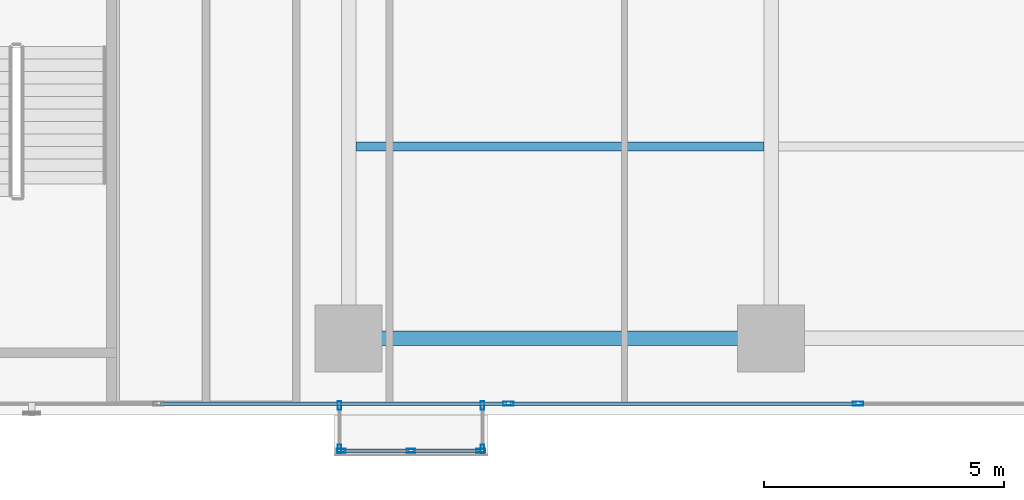
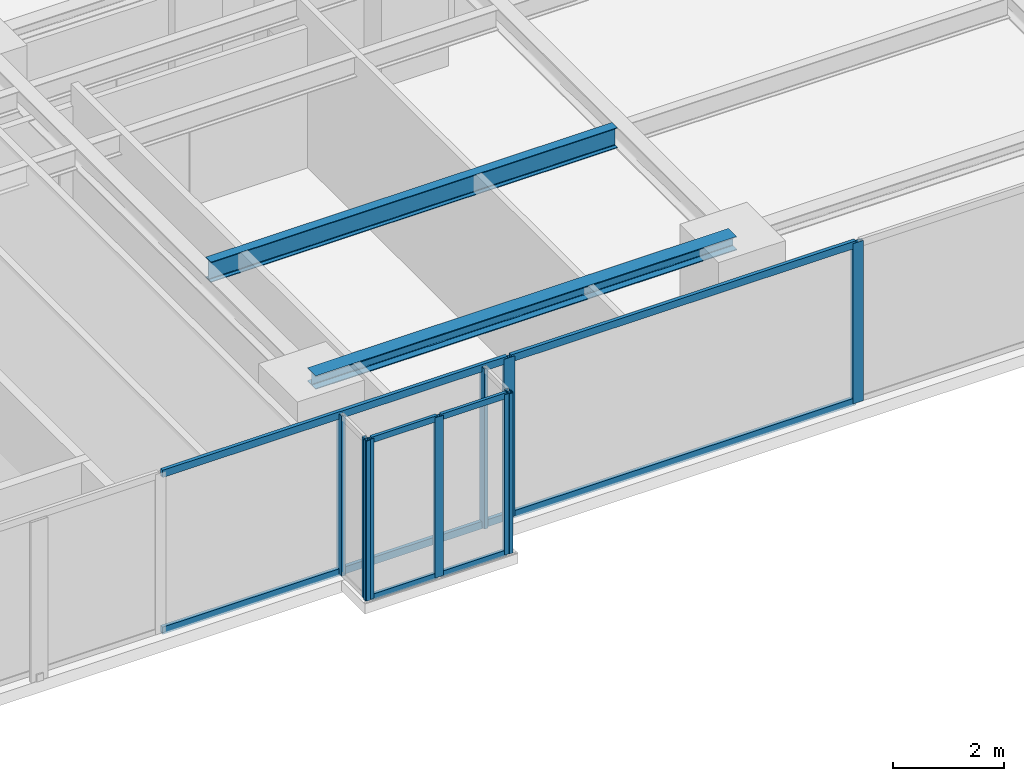
# One storey, part 11 of 27: 17 members, 2 beams, 4 elements without a shape of their own.
"""IFC4 building model written with IfcOpenShell, lengths in metres."""

from ifc_helpers import new_model, si_unit, direction, frame, origin, origin_with_axes, origin_2d, place, context, subcontext, project, spatial, hollow_rectangle, i_section, extrude, source, transform, mapped, material, layer, layer_set, material_profile, profile_set, type_object, element, aggregate, save


model = new_model("IFC4")

# Units and contexts
model_context = context("Model", 3, precision=1e-05, world=origin(), true_north=direction((0.0, 1.0)))
body_context = subcontext(model_context, "Body", "Model", "MODEL_VIEW")
ifc_project = project(units=[si_unit("LENGTHUNIT", "METRE"), si_unit("AREAUNIT", "SQUARE_METRE"), si_unit("VOLUMEUNIT", "CUBIC_METRE"), si_unit("PLANEANGLEUNIT", "RADIAN"), si_unit("MASSUNIT", "GRAM", prefix="KILO")], contexts=[model_context])

# Site, building, storey
site_placement = place(None, origin())
site = spatial("IfcSite", under=ifc_project, at=site_placement, CompositionType="ELEMENT")
building_placement = place(site_placement, origin())
building = spatial("IfcBuilding", under=site, at=building_placement, Name="Kolvaren Waterfront Exchange", CompositionType="ELEMENT")
storey_placement = place(building_placement, frame((0.0, 0.0, 118.300048828125)))
storey = spatial("IfcBuildingStorey", under=building, at=storey_placement, Name="L30", CompositionType="ELEMENT", Elevation=118.300048828125)

# Beams
ifc_material_1 = material(Name="Steel S355", Category="steel")
ifc_material_profile_1 = material_profile(ifc_material_1, i_section(OverallWidth=0.300048828125, OverallDepth=0.300048828125, WebThickness=0.010986328125, FlangeThickness=0.01904296875, FilletRadius=0.027099609375, at=origin_2d()), Name="HEB300")
ifc_profile_set_1 = profile_set([ifc_material_profile_1], Name="Steel S355")
beam_type_1 = type_object("IfcBeamType", Name="STR-BM-HEB300", PredefinedType="SPANDREL", material=ifc_profile_set_1)
beam_1_placement = place(storey_placement, frame((36.800048828125, 5.199951171875, 3.389892578125), z_axis=(1.0, 0.0, 0.0), x_axis=(0.0, 1.0, 0.0)))
element("IfcBeam", 1, at=beam_1_placement, inside=storey, type_object=beam_type_1, Name="L30 east-arm spandrel S3", PredefinedType="SPANDREL", context=body_context, shape_type="SweptSolid", body=[
    extrude(i_section(OverallWidth=0.300048828125, OverallDepth=0.300048828125, WebThickness=0.010986328125, FlangeThickness=0.01904296875, FilletRadius=0.027099609375, at=origin_2d()), origin(), (0.0, 0.0, 1.0), 8.800048828125),
])
ifc_material_profile_2 = material_profile(ifc_material_1, i_section(OverallWidth=0.18994140625, OverallDepth=0.449951171875, WebThickness=0.009521484375, FlangeThickness=0.0146484375, FilletRadius=0.02099609375, at=origin_2d()), Name="IPE450")
ifc_profile_set_2 = profile_set([ifc_material_profile_2], Name="Steel S355")
beam_type_2 = type_object("IfcBeamType", Name="STR-BM-IPE450", PredefinedType="JOIST", material=ifc_profile_set_2)
beam_2_placement = place(storey_placement, frame((36.951904296875, 9.199951171875, 3.31494140625), z_axis=(1.0, 0.0, 0.0), x_axis=(0.0, 1.0, 0.0)))
element("IfcBeam", 2, at=beam_2_placement, inside=storey, type_object=beam_type_2, Name="L30 east-arm composite joist 3B", PredefinedType="JOIST", context=body_context, shape_type="SweptSolid", body=[
    extrude(i_section(OverallWidth=0.18994140625, OverallDepth=0.449951171875, WebThickness=0.009521484375, FlangeThickness=0.0146484375, FilletRadius=0.02099609375, at=origin_2d()), origin(), (0.0, 0.0, 1.0), 8.49609375),
])

# Curtain wall, members
ifc_material_2 = material(Name="Anodised bronze aluminium 6063-T6", Category="aluminium")
ifc_layer_1 = layer(ifc_material_2, 0.219970703125, Name="Anodised bronze aluminium 6063-T6")
ifc_layer_set_1 = layer_set([ifc_layer_1], Name="Anodised bronze aluminium 6063-T6")
curtain_wall_type_1 = type_object("IfcCurtainWallType", Name="ARC-CW-SYS3", PredefinedType="USERDEFINED", material=ifc_layer_set_1)
curtain_wall_1_placement = place(storey_placement, origin())
curtain_wall_1 = element("IfcCurtainWall", 3, at=curtain_wall_1_placement, inside=storey, type_object=curtain_wall_type_1, Name="L30 stick curtain wall CW3 (CW-L30-BOX-W)", ObjectType="STICK CURTAIN WALL", PredefinedType="USERDEFINED")
ifc_material_profile_3 = material_profile(ifc_material_2, hollow_rectangle(XDim=0.074951171875, YDim=0.179931640625, WallThickness=0.00439453125, at=origin_2d()), Name="ALU-MUL-180x75x4.5")
ifc_profile_set_3 = profile_set([ifc_material_profile_3], Name="Anodised bronze aluminium 6063-T6")
member_type_1 = type_object("IfcMemberType", Name="ARC-CWM-180", PredefinedType="MULLION", material=ifc_profile_set_3)
shared_shape_1 = source(origin_with_axes(), body_context, "Body", "SweptSolid", [
    extrude(hollow_rectangle(XDim=0.074951171875, YDim=0.179931640625, WallThickness=0.00439453125, at=origin_2d()), origin(), (0.0, 0.0, 1.0), 3.5400390625),
])
member_1_placement = place(storey_placement, frame((36.610107421875, 3.802490234375, 0.0), z_axis=(0.0, 0.0, 1.0), x_axis=(1.0, 0.0, 0.0)))
member_1 = element("IfcMember", 4, at=member_1_placement, type_object=member_type_1, Name="CW3 mullion 1", PredefinedType="MULLION", context=body_context, shape_type="MappedRepresentation", body=[
    mapped(shared_shape_1, transform((0.0, 0.0, 0.0), x_axis=(1.0, 0.0, 0.0), y_axis=(0.0, 1.0, 0.0), z_axis=(0.0, 0.0, 1.0), scale=1.0)),
])
member_2_placement = place(storey_placement, frame((36.610107421875, 2.8974609375, 0.0), z_axis=(0.0, 0.0, 1.0), x_axis=(1.0, 0.0, 0.0)))
member_2 = element("IfcMember", 5, at=member_2_placement, type_object=member_type_1, Name="CW3 mullion 2", PredefinedType="MULLION", context=body_context, shape_type="MappedRepresentation", body=[
    mapped(shared_shape_1, transform((0.0, 0.0, 0.0), x_axis=(1.0, 0.0, 0.0), y_axis=(0.0, 1.0, 0.0), z_axis=(0.0, 0.0, 1.0), scale=1.0)),
])
aggregate(curtain_wall_1, [member_1, member_2])

curtain_wall_2_placement = place(storey_placement, origin())
curtain_wall_2 = element("IfcCurtainWall", 6, at=curtain_wall_2_placement, inside=storey, type_object=curtain_wall_type_1, Name="L30 stick curtain wall CW3 (CW-L30-BOX)", ObjectType="STICK CURTAIN WALL", PredefinedType="USERDEFINED")
member_3_placement = place(storey_placement, frame((36.6474609375, 2.860107421875, 0.0), z_axis=(0.0, 0.0, 1.0), x_axis=(0.0, 1.0, 0.0)))
member_3 = element("IfcMember", 7, at=member_3_placement, type_object=member_type_1, Name="CW3 mullion 1", PredefinedType="MULLION", context=body_context, shape_type="MappedRepresentation", body=[
    mapped(shared_shape_1, transform((0.0, 0.0, 0.0), x_axis=(1.0, 0.0, 0.0), y_axis=(0.0, 1.0, 0.0), z_axis=(0.0, 0.0, 1.0), scale=1.0)),
])
member_4_placement = place(storey_placement, frame((38.10009765625, 2.860107421875, 0.0), z_axis=(0.0, 0.0, 1.0), x_axis=(0.0, 1.0, 0.0)))
member_4 = element("IfcMember", 8, at=member_4_placement, type_object=member_type_1, Name="CW3 mullion 2", PredefinedType="MULLION", context=body_context, shape_type="MappedRepresentation", body=[
    mapped(shared_shape_1, transform((0.0, 0.0, 0.0), x_axis=(1.0, 0.0, 0.0), y_axis=(0.0, 1.0, 0.0), z_axis=(0.0, 0.0, 1.0), scale=1.0)),
])
member_5_placement = place(storey_placement, frame((39.552490234375, 2.860107421875, 0.0), z_axis=(0.0, 0.0, 1.0), x_axis=(0.0, 1.0, 0.0)))
member_5 = element("IfcMember", 9, at=member_5_placement, type_object=member_type_1, Name="CW3 mullion 3", PredefinedType="MULLION", context=body_context, shape_type="MappedRepresentation", body=[
    mapped(shared_shape_1, transform((0.0, 0.0, 0.0), x_axis=(1.0, 0.0, 0.0), y_axis=(0.0, 1.0, 0.0), z_axis=(0.0, 0.0, 1.0), scale=1.0)),
])

curtain_wall_3_placement = place(storey_placement, origin())
curtain_wall_3 = element("IfcCurtainWall", 10, at=curtain_wall_3_placement, inside=storey, type_object=curtain_wall_type_1, Name="L30 stick curtain wall CW3 (CW-L30-BOX-E)", ObjectType="STICK CURTAIN WALL", PredefinedType="USERDEFINED")
member_6_placement = place(storey_placement, frame((39.590087890625, 2.8974609375, 0.0), z_axis=(0.0, 0.0, 1.0), x_axis=(-1.0, 0.0, 0.0)))
member_6 = element("IfcMember", 11, at=member_6_placement, type_object=member_type_1, Name="CW3 mullion 1", PredefinedType="MULLION", context=body_context, shape_type="MappedRepresentation", body=[
    mapped(shared_shape_1, transform((0.0, 0.0, 0.0), x_axis=(1.0, 0.0, 0.0), y_axis=(0.0, 1.0, 0.0), z_axis=(0.0, 0.0, 1.0), scale=1.0)),
])
member_7_placement = place(storey_placement, frame((39.590087890625, 3.802490234375, 0.0), z_axis=(0.0, 0.0, 1.0), x_axis=(-1.0, 0.0, 0.0)))
member_7 = element("IfcMember", 12, at=member_7_placement, type_object=member_type_1, Name="CW3 mullion 2", PredefinedType="MULLION", context=body_context, shape_type="MappedRepresentation", body=[
    mapped(shared_shape_1, transform((0.0, 0.0, 0.0), x_axis=(1.0, 0.0, 0.0), y_axis=(0.0, 1.0, 0.0), z_axis=(0.0, 0.0, 1.0), scale=1.0)),
])
aggregate(curtain_wall_3, [member_6, member_7])

# Member
ifc_material_profile_4 = material_profile(ifc_material_2, hollow_rectangle(XDim=0.06494140625, YDim=0.1298828125, WallThickness=0.00390625, at=origin_2d()), Name="ALU-TRN-130x65x4")
ifc_profile_set_4 = profile_set([ifc_material_profile_4], Name="Anodised bronze aluminium 6063-T6")
member_type_2 = type_object("IfcMemberType", Name="ARC-CWT-130", PredefinedType="USERDEFINED", material=ifc_profile_set_4)
shared_shape_2 = source(origin_with_axes(), body_context, "Body", "SweptSolid", [
    extrude(hollow_rectangle(XDim=0.06494140625, YDim=0.1298828125, WallThickness=0.00390625, at=origin_2d()), origin(), (0.0, 0.0, 1.0), 1.37744140625),
])
member_8_placement = place(storey_placement, frame((36.68505859375, 2.860107421875, 0.032470703125), z_axis=(1.0, 0.0, 0.0), x_axis=(0.0, 1.0, 0.0)))
member_8 = element("IfcMember", 13, at=member_8_placement, type_object=member_type_2, Name="CW3 transom 1.1", ObjectType="TRANSOM", PredefinedType="USERDEFINED", context=body_context, shape_type="MappedRepresentation", body=[
    mapped(shared_shape_2, transform((0.0, 0.0, 0.0), x_axis=(1.0, 0.0, 0.0), y_axis=(0.0, 1.0, 0.0), z_axis=(0.0, 0.0, 1.0), scale=1.0)),
])

member_9_placement = place(storey_placement, frame((36.68505859375, 2.860107421875, 3.507568359375), z_axis=(1.0, 0.0, 0.0), x_axis=(0.0, 1.0, 0.0)))
member_9 = element("IfcMember", 14, at=member_9_placement, type_object=member_type_2, Name="CW3 transom 1.2", ObjectType="TRANSOM", PredefinedType="USERDEFINED", context=body_context, shape_type="MappedRepresentation", body=[
    mapped(shared_shape_2, transform((0.0, 0.0, 0.0), x_axis=(1.0, 0.0, 0.0), y_axis=(0.0, 1.0, 0.0), z_axis=(0.0, 0.0, 1.0), scale=1.0)),
])

member_10_placement = place(storey_placement, frame((38.137451171875, 2.860107421875, 0.032470703125), z_axis=(1.0, 0.0, 0.0), x_axis=(0.0, 1.0, 0.0)))
member_10 = element("IfcMember", 15, at=member_10_placement, type_object=member_type_2, Name="CW3 transom 2.1", ObjectType="TRANSOM", PredefinedType="USERDEFINED", context=body_context, shape_type="MappedRepresentation", body=[
    mapped(shared_shape_2, transform((0.0, 0.0, 0.0), x_axis=(1.0, 0.0, 0.0), y_axis=(0.0, 1.0, 0.0), z_axis=(0.0, 0.0, 1.0), scale=1.0)),
])

member_11_placement = place(storey_placement, frame((38.137451171875, 2.860107421875, 3.507568359375), z_axis=(1.0, 0.0, 0.0), x_axis=(0.0, 1.0, 0.0)))
member_11 = element("IfcMember", 16, at=member_11_placement, type_object=member_type_2, Name="CW3 transom 2.2", ObjectType="TRANSOM", PredefinedType="USERDEFINED", context=body_context, shape_type="MappedRepresentation", body=[
    mapped(shared_shape_2, transform((0.0, 0.0, 0.0), x_axis=(1.0, 0.0, 0.0), y_axis=(0.0, 1.0, 0.0), z_axis=(0.0, 0.0, 1.0), scale=1.0)),
])

aggregate(curtain_wall_2, [member_3, member_4, member_5, member_8, member_9, member_10, member_11])

# Curtain wall, members
ifc_layer_2 = layer(ifc_material_2, 0.219970703125, Name="Anodised bronze aluminium 6063-T6")
ifc_layer_set_2 = layer_set([ifc_layer_2], Name="Anodised bronze aluminium 6063-T6")
curtain_wall_type_2 = type_object("IfcCurtainWallType", Name="ARC-CW-SYS1", PredefinedType="USERDEFINED", material=ifc_layer_set_2)
curtain_wall_4_placement = place(storey_placement, origin())
curtain_wall_4 = element("IfcCurtainWall", 17, at=curtain_wall_4_placement, inside=storey, type_object=curtain_wall_type_2, Name="L30 stick curtain wall CW1 (CW-L30-S)", ObjectType="STICK CURTAIN WALL", PredefinedType="USERDEFINED")
ifc_material_3 = material(Name="Anodised aluminium 6063-T6", Category="aluminium")
ifc_material_profile_5 = material_profile(ifc_material_3, hollow_rectangle(XDim=0.080078125, YDim=0.219970703125, WallThickness=0.0048828125, at=origin_2d()), Name="ALU-MUL-220x80x5")
ifc_profile_set_5 = profile_set([ifc_material_profile_5], Name="Anodised aluminium 6063-T6")
member_type_3 = type_object("IfcMemberType", Name="ARC-CWM-220", PredefinedType="MULLION", material=ifc_profile_set_5)
shared_shape_3 = source(origin_with_axes(), body_context, "Body", "SweptSolid", [
    extrude(hollow_rectangle(XDim=0.080078125, YDim=0.219970703125, WallThickness=0.0048828125, at=origin_2d()), origin(), (0.0, 0.0, 1.0), 3.5400390625),
])
member_12_placement = place(storey_placement, frame((40.128662109375, 3.840087890625, 0.0), z_axis=(0.0, 0.0, 1.0), x_axis=(0.0, 1.0, 0.0)))
member_12 = element("IfcMember", 18, at=member_12_placement, type_object=member_type_3, Name="CW1 mullion 6", PredefinedType="MULLION", context=body_context, shape_type="MappedRepresentation", body=[
    mapped(shared_shape_3, transform((0.0, 0.0, 0.0), x_axis=(1.0, 0.0, 0.0), y_axis=(0.0, 1.0, 0.0), z_axis=(0.0, 0.0, 1.0), scale=1.0)),
])
member_13_placement = place(storey_placement, frame((47.414306640625, 3.840087890625, 0.0), z_axis=(0.0, 0.0, 1.0), x_axis=(0.0, 1.0, 0.0)))
member_13 = element("IfcMember", 19, at=member_13_placement, type_object=member_type_3, Name="CW1 mullion 7", PredefinedType="MULLION", context=body_context, shape_type="MappedRepresentation", body=[
    mapped(shared_shape_3, transform((0.0, 0.0, 0.0), x_axis=(1.0, 0.0, 0.0), y_axis=(0.0, 1.0, 0.0), z_axis=(0.0, 0.0, 1.0), scale=1.0)),
])
ifc_material_profile_6 = material_profile(ifc_material_3, hollow_rectangle(XDim=0.074951171875, YDim=0.159912109375, WallThickness=0.00439453125, at=origin_2d()), Name="ALU-TRN-160x75x4.5")
ifc_profile_set_6 = profile_set([ifc_material_profile_6], Name="Anodised aluminium 6063-T6")
member_type_4 = type_object("IfcMemberType", Name="ARC-CWT-160", PredefinedType="USERDEFINED", material=ifc_profile_set_6)
shared_shape_4 = source(origin_with_axes(), body_context, "Body", "SweptSolid", [
    extrude(hollow_rectangle(XDim=0.074951171875, YDim=0.159912109375, WallThickness=0.00439453125, at=origin_2d()), origin(), (0.0, 0.0, 1.0), 7.205810546875),
])
member_14_placement = place(storey_placement, frame((32.8828125, 3.840087890625, 0.037353515625), z_axis=(1.0, 0.0, 0.0), x_axis=(0.0, 1.0, 0.0)))
member_14 = element("IfcMember", 20, at=member_14_placement, type_object=member_type_4, Name="CW1 transom 5.1", ObjectType="TRANSOM", PredefinedType="USERDEFINED", context=body_context, shape_type="MappedRepresentation", body=[
    mapped(shared_shape_4, transform((0.0, 0.0, 0.0), x_axis=(1.0, 0.0, 0.0), y_axis=(0.0, 1.0, 0.0), z_axis=(0.0, 0.0, 1.0), scale=1.0)),
])
member_15_placement = place(storey_placement, frame((32.8828125, 3.840087890625, 3.50244140625), z_axis=(1.0, 0.0, 0.0), x_axis=(0.0, 1.0, 0.0)))
member_15 = element("IfcMember", 21, at=member_15_placement, type_object=member_type_4, Name="CW1 transom 5.2", ObjectType="TRANSOM", PredefinedType="USERDEFINED", context=body_context, shape_type="MappedRepresentation", body=[
    mapped(shared_shape_4, transform((0.0, 0.0, 0.0), x_axis=(1.0, 0.0, 0.0), y_axis=(0.0, 1.0, 0.0), z_axis=(0.0, 0.0, 1.0), scale=1.0)),
])
member_16_placement = place(storey_placement, frame((40.16845703125, 3.840087890625, 0.037353515625), z_axis=(1.0, 0.0, 0.0), x_axis=(0.0, 1.0, 0.0)))
member_16 = element("IfcMember", 22, at=member_16_placement, type_object=member_type_4, Name="CW1 transom 6.1", ObjectType="TRANSOM", PredefinedType="USERDEFINED", context=body_context, shape_type="MappedRepresentation", body=[
    mapped(shared_shape_4, transform((0.0, 0.0, 0.0), x_axis=(1.0, 0.0, 0.0), y_axis=(0.0, 1.0, 0.0), z_axis=(0.0, 0.0, 1.0), scale=1.0)),
])
member_17_placement = place(storey_placement, frame((40.16845703125, 3.840087890625, 3.50244140625), z_axis=(1.0, 0.0, 0.0), x_axis=(0.0, 1.0, 0.0)))
member_17 = element("IfcMember", 23, at=member_17_placement, type_object=member_type_4, Name="CW1 transom 6.2", ObjectType="TRANSOM", PredefinedType="USERDEFINED", context=body_context, shape_type="MappedRepresentation", body=[
    mapped(shared_shape_4, transform((0.0, 0.0, 0.0), x_axis=(1.0, 0.0, 0.0), y_axis=(0.0, 1.0, 0.0), z_axis=(0.0, 0.0, 1.0), scale=1.0)),
])
aggregate(curtain_wall_4, [member_12, member_13, member_14, member_15, member_16, member_17])

save(model, "model.ifc")
